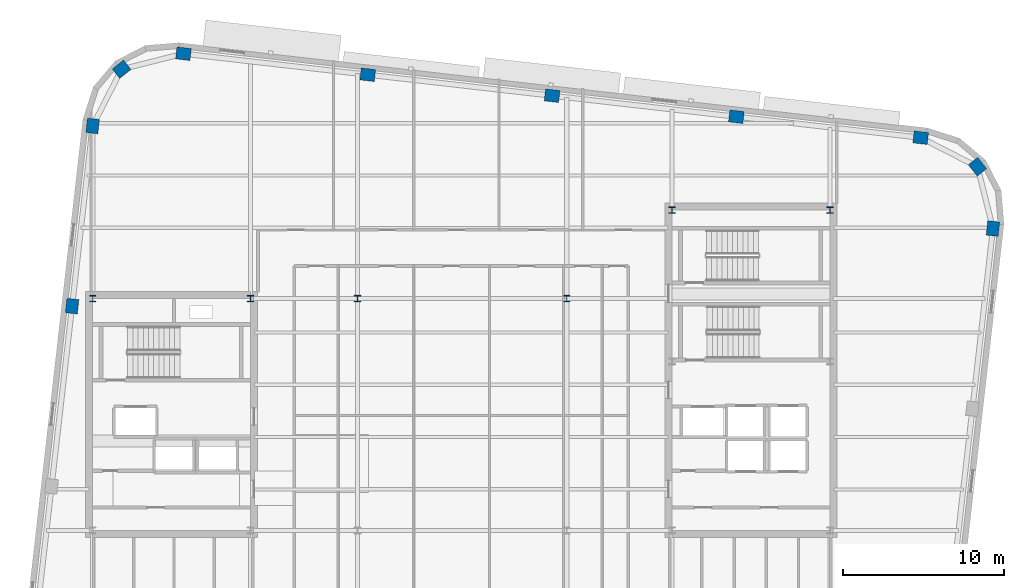
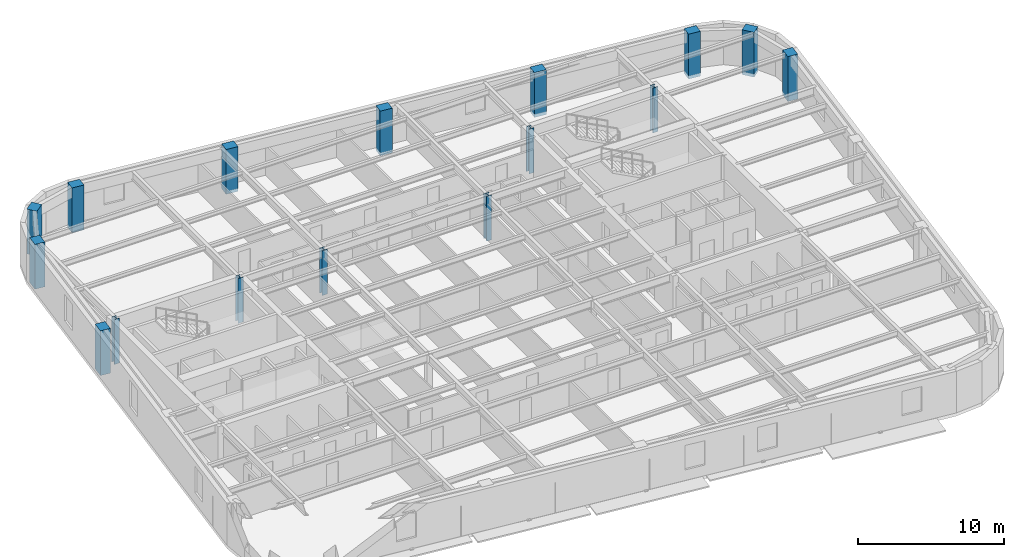
# One storey, part 2 of 13: 16 columns.
"""IFC4 building model written with IfcOpenShell, lengths in metres."""

import ifcopenshell
import ifcopenshell.guid

model = None  # the IFC model being written
_history = None  # IfcOwnerHistory: only IFC2X3 demands one
_inside = {}  # id of a spatial element -> (the spatial element, [elements in it])
_under = {}  # id of a project, library or spatial element -> (it, [spatial elements below it])
_declared = {}  # id of a project -> (the project, [libraries it declares])
_typed = {}  # id of a type object -> (the type object, [elements of that type])
_made_of = {}  # id of a material, layer set ... -> (it, [elements and type objects made of it])


def new_model(schema):
    """Start an empty IFC model of exactly this schema.

    Asked for "IFC4X3", IfcOpenShell would pick the latest addendum, in which some entities
    have other attributes; the version numbers below select the first issue.
    IFC2X3 requires an IfcOwnerHistory on every rooted entity: one is made here for all.
    """
    global model, _history
    if schema == "IFC4X3":
        model = ifcopenshell.file(schema_version=(4, 3, 0, 0))
    else:
        model = ifcopenshell.file(schema=schema)
    _inside.clear()
    _under.clear()
    _declared.clear()
    _typed.clear()
    _made_of.clear()
    _history = None
    if model.schema == "IFC2X3":
        org = make("IfcOrganization", Name="unknown")
        user = make(
            "IfcPersonAndOrganization",
            ThePerson=make("IfcPerson", FamilyName="unknown"),
            TheOrganization=org,
        )
        app = make(
            "IfcApplication",
            ApplicationDeveloper=org,
            Version="unknown",
            ApplicationFullName="unknown",
            ApplicationIdentifier="unknown",
        )
        _history = make(
            "IfcOwnerHistory",
            OwningUser=user,
            OwningApplication=app,
            ChangeAction="ADDED",
            CreationDate=0,
        )
    return model


def make(cls, **values):
    """One entity of the class cls with the attributes given. An attribute that is None is left unset."""
    return model.create_entity(
        cls, **{name: value for name, value in values.items() if value is not None}
    )


def rooted(cls, **values):
    """An entity with a GlobalId (a new one), such as an element, a storey or a relation."""
    return make(cls, GlobalId=ifcopenshell.guid.new(), OwnerHistory=_history, **values)


def si_unit(unit_type, name, prefix=None):
    """IfcSIUnit, for example si_unit("LENGTHUNIT", "METRE", prefix="MILLI")."""
    return make("IfcSIUnit", UnitType=unit_type, Prefix=prefix, Name=name)


def assignment(units):
    """IfcUnitAssignment: the units of a project."""
    return None if units is None else make("IfcUnitAssignment", Units=units)


def point(xyz):
    """IfcCartesianPoint."""
    return None if xyz is None else make("IfcCartesianPoint", Coordinates=xyz)


def direction(xyz):
    """IfcDirection."""
    return None if xyz is None else make("IfcDirection", DirectionRatios=xyz)


def frame(location, z_axis=None, x_axis=None):
    """IfcAxis2Placement3D, a coordinate frame: its origin and axes. An axis left out is left unset."""
    return make(
        "IfcAxis2Placement3D",
        Location=point(location),
        Axis=direction(z_axis),
        RefDirection=direction(x_axis),
    )


def frame_2d(location, x_axis=None):
    """IfcAxis2Placement2D, a coordinate frame in the plane: its origin and x axis."""
    return make(
        "IfcAxis2Placement2D", Location=point(location), RefDirection=direction(x_axis)
    )


def origin():
    """The frame at (0, 0, 0) with its axes left unset."""
    return frame((0.0, 0.0, 0.0))


def origin_2d():
    """The frame at (0, 0) in the plane with its x axis left unset."""
    return frame_2d((0.0, 0.0))


def place(relative_to, where):
    """IfcLocalPlacement: puts the frame where relative to a parent placement (None: the world)."""
    return make(
        "IfcLocalPlacement", PlacementRelTo=relative_to, RelativePlacement=where
    )


def context(
    kind, dimensions, precision=None, world=None, true_north=None, identifier=None
):
    """IfcGeometricRepresentationContext, for example the 3D "Model" context."""
    return make(
        "IfcGeometricRepresentationContext",
        ContextIdentifier=identifier,
        ContextType=kind,
        CoordinateSpaceDimension=dimensions,
        Precision=precision,
        WorldCoordinateSystem=world,
        TrueNorth=true_north,
    )


def subcontext(parent, identifier, kind, view, scale=None):
    """IfcGeometricRepresentationSubContext, for example "Body" below "Model"."""
    return make(
        "IfcGeometricRepresentationSubContext",
        ContextIdentifier=identifier,
        ContextType=kind,
        ParentContext=parent,
        TargetScale=scale,
        TargetView=view,
    )


def project(units=None, contexts=None):
    """IfcProject with its units and contexts."""
    return rooted(
        "IfcProject",
        Name="project",
        RepresentationContexts=contexts,
        UnitsInContext=assignment(units),
    )


def spatial(cls, under=None, at=None, **own):
    """A site, building, storey or space (cls), placed at a placement, below another one or the project."""
    s = rooted(cls, ObjectPlacement=at, **own)
    if under is not None:
        _under.setdefault(under.id(), (under, []))[1].append(s)
    return s


def profile(cls, at=None, kind="AREA", **sizes):
    """A parametric profile (cls). Its sizes go by their IFC names, for example OverallWidth=200.0."""
    return make(cls, ProfileType=kind, Position=at, **sizes)


def rectangle(**sizes):
    """IfcRectangleProfileDef."""
    return profile("IfcRectangleProfileDef", **sizes)


def i_section(**sizes):
    """IfcIShapeProfileDef."""
    return profile("IfcIShapeProfileDef", **sizes)


def extrude(swept, where, along, depth):
    """IfcExtrudedAreaSolid: the profile swept, set in the frame where, extruded along a direction by depth."""
    return make(
        "IfcExtrudedAreaSolid",
        SweptArea=swept,
        Position=where,
        ExtrudedDirection=direction(along),
        Depth=depth,
    )


def shape(context_of_items, identifier, shape_type, items):
    """IfcShapeRepresentation: the items that make up one representation, for example the "Body"."""
    return make(
        "IfcShapeRepresentation",
        ContextOfItems=context_of_items,
        RepresentationIdentifier=identifier,
        RepresentationType=shape_type,
        Items=items,
    )


def material(Name=None, Category=None):
    """IfcMaterial."""
    return make("IfcMaterial", Name=Name, Category=Category)


def material_profile(
    of_material, cross_section, Name=None, Category=None, Priority=None
):
    """IfcMaterialProfile: a cross section and its material."""
    return make(
        "IfcMaterialProfile",
        Name=Name,
        Material=of_material,
        Profile=cross_section,
        Priority=Priority,
        Category=Category,
    )


def profile_set(profiles, Name=None, composite=None):
    """IfcMaterialProfileSet."""
    return make(
        "IfcMaterialProfileSet",
        Name=Name,
        MaterialProfiles=profiles,
        CompositeProfile=composite,
    )


def made_of(thing, what):
    """Note that an element or type object is made of a material, layer set ...; save() writes the relation."""
    if what is not None:
        _made_of.setdefault(what.id(), (what, []))[1].append(thing)
    return thing


def type_object(cls, material=None, **own):
    """A type object (cls), such as IfcWallType, which elements share."""
    return made_of(rooted(cls, **own), material)


def element(
    cls,
    number,
    at=None,
    inside=None,
    cuts=None,
    type_object=None,
    material=None,
    context=None,
    identifier="Body",
    shape_type=None,
    held_by="IfcProductDefinitionShape",
    body=None,
    shapes=None,
    **own,
):
    """One element of the class cls, such as IfcWall. Its Tag is "e" and its number.

    at: its placement. inside: the storey or other place that contains it. cuts: it is an
    opening in that element (IfcRelVoidsElement). A single representation is given by context,
    identifier, shape_type and body (its items); several are given by shapes. held_by: the class
    of the entity that holds the representations. save() writes the other relations.
    """
    e = rooted(cls, Tag="e%d" % number, ObjectPlacement=at, **own)
    if body is not None:
        shapes = [shape(context, identifier, shape_type, body)]
    if shapes is not None:
        e.Representation = make(held_by, Representations=shapes)
    if inside is not None:
        _inside.setdefault(inside.id(), (inside, []))[1].append(e)
    if cuts is not None:
        rooted(
            "IfcRelVoidsElement", RelatingBuildingElement=cuts, RelatedOpeningElement=e
        )
    if type_object is not None:
        _typed.setdefault(type_object.id(), (type_object, []))[1].append(e)
    return made_of(e, material)


def aggregate(whole, parts):
    """IfcRelAggregates: a whole, such as a stair, and the parts it consists of."""
    return rooted("IfcRelAggregates", RelatingObject=whole, RelatedObjects=parts)


def save(model, path):
    """Write the relations noted so far, then the file.

    IfcRelAggregates (storeys below a building ...), IfcRelContainedInSpatialStructure (elements
    in a storey), IfcRelDefinesByType, IfcRelAssociatesMaterial and IfcRelDeclares: one each for
    every whole, place, type object, material and project.
    """
    for whole, parts in _under.values():
        aggregate(whole, parts)
    for where, things in _inside.values():
        rooted(
            "IfcRelContainedInSpatialStructure",
            RelatedElements=things,
            RelatingStructure=where,
        )
    for kind, things in _typed.values():
        rooted("IfcRelDefinesByType", RelatedObjects=things, RelatingType=kind)
    for what, things in _made_of.values():
        rooted("IfcRelAssociatesMaterial", RelatedObjects=things, RelatingMaterial=what)
    for by, libraries in _declared.values():
        rooted("IfcRelDeclares", RelatingContext=by, RelatedDefinitions=libraries)
    model.write(path)


model = new_model("IFC4")

# Units and contexts
model_context = context("Model", 3, precision=1e-05, world=origin(), true_north=direction((0.0, 1.0)))
body_context = subcontext(model_context, "Body", "Model", "MODEL_VIEW")
ifc_project = project(units=[si_unit("LENGTHUNIT", "METRE"), si_unit("AREAUNIT", "SQUARE_METRE"), si_unit("VOLUMEUNIT", "CUBIC_METRE"), si_unit("PLANEANGLEUNIT", "RADIAN"), si_unit("MASSUNIT", "GRAM", prefix="KILO")], contexts=[model_context])

# Site, building, storey
site_placement = place(None, origin())
site = spatial("IfcSite", under=ifc_project, at=site_placement, CompositionType="ELEMENT")
building_placement = place(site_placement, origin())
building = spatial("IfcBuilding", under=site, at=building_placement, Name="Kolvaren Arena Tower", CompositionType="ELEMENT")
storey_placement = place(building_placement, frame((0.0, 0.0, 232.199951171875)))
storey = spatial("IfcBuildingStorey", under=building, at=storey_placement, Name="L56", CompositionType="ELEMENT", Elevation=232.199951171875)

# Columns
ifc_material_1 = material(Name="Precast concrete C55/67", Category="concrete")
ifc_material_profile_1 = material_profile(ifc_material_1, rectangle(XDim=0.89990234375, YDim=0.75, at=origin_2d()), Name="RC-900x750")
ifc_profile_set_1 = profile_set([ifc_material_profile_1], Name="Precast concrete C55/67")
column_type_1 = type_object("IfcColumnType", Name="EXCOL-Z4", PredefinedType="COLUMN", material=ifc_profile_set_1)
for number, where, z_axis, x_axis, name in (
    (1, (70.482177734375, 38.20458984375, -0.27001953125), (0.0, 0.0, 1.0), (0.113203213768, 0.993571855677, 0.0), "Exoskeleton Perimeter Column 10 (L56)"),
    (2, (69.519775390625, 42.047119140625, -0.27001953125), (0.0, 0.0, 1.0), (-0.622514636638, 0.782608156852, 0.0), "Exoskeleton Perimeter Column 11 (L56)"),
    (3, (65.9921875, 43.84912109375, -0.27001953125), (0.0, 0.0, 1.0), (0.993571855677, -0.113203213768, 0.0), "Exoskeleton Perimeter Column 12 (L56)"),
    (4, (54.54150390625, 45.15380859375, -0.27001953125), (0.0, 0.0, 1.0), (0.993571855677, -0.113203213768, 0.0), "Exoskeleton Perimeter Column 13 (L56)"),
    (5, (43.090576171875, 46.45849609375, -0.27001953125), (0.0, 0.0, 1.0), (0.993571855677, -0.113203213768, 0.0), "Exoskeleton Perimeter Column 14 (L56)"),
    (6, (31.6396484375, 47.76318359375, -0.27001953125), (0.0, 0.0, 1.0), (0.993571855677, -0.113203213768, 0.0), "Exoskeleton Perimeter Column 15 (L56)"),
    (7, (20.188720703125, 49.06787109375, -0.27001953125), (0.0, 0.0, 1.0), (0.993571855677, -0.113203213768, 0.0), "Exoskeleton Perimeter Column 16 (L56)"),
    (8, (16.34619140625, 48.10546875, -0.27001953125), (0.0, 0.0, 1.0), (0.782608156852, 0.622514636638, 0.0), "Exoskeleton Perimeter Column 17 (L56)"),
    (9, (14.544189453125, 44.577880859375, -0.27001953125), (0.0, 0.0, 1.0), (0.113203213768, 0.993571855677, 0.0), "Exoskeleton Perimeter Column 18 (L56)"),
    (10, (13.268798828125, 33.3837890625, -0.27001953125), (0.0, 0.0, 1.0), (0.113203213768, 0.993571855677, 0.0), "Exoskeleton Perimeter Column 19 (L56)"),
):
    element("IfcColumn", number, at=place(storey_placement, frame(where, z_axis=z_axis, x_axis=x_axis)), inside=storey, type_object=column_type_1, Name=name, PredefinedType="COLUMN", context=body_context, shape_type="SweptSolid", body=[
        extrude(rectangle(XDim=0.89990234375, YDim=0.75, at=origin_2d()), origin(), (0.0, 0.0, 1.0), 3.75),
    ])
ifc_material_2 = material(Name="Steel ASTM A913 Grade 65", Category="steel")
ifc_material_profile_2 = material_profile(ifc_material_2, i_section(OverallWidth=0.39892578125, OverallDepth=0.39306640625, WebThickness=0.022705078125, FlangeThickness=0.03662109375, FilletRadius=0.02001953125, at=origin_2d()), Name="W360x287")
ifc_profile_set_2 = profile_set([ifc_material_profile_2], Name="Steel ASTM A913 Grade 65")
column_type_2 = type_object("IfcColumnType", Name="SCOL-Z4", PredefinedType="COLUMN", material=ifc_profile_set_2)
for number, where, z_axis, x_axis, name in (
    (11, (14.550048828125, 33.85009765625, -0.27001953125), (0.0, 0.0, 1.0), (1.0, 0.0, 0.0), "Core Boundary Column WC-NW (L56)"),
    (12, (24.35009765625, 33.85009765625, -0.27001953125), (0.0, 0.0, 1.0), (1.0, 0.0, 0.0), "Core Boundary Column WC-NE (L56)"),
    (13, (50.550048828125, 39.35009765625, -0.27001953125), (0.0, 0.0, 1.0), (1.0, 0.0, 0.0), "Core Boundary Column EC-NW (L56)"),
    (14, (60.35009765625, 39.35009765625, -0.27001953125), (0.0, 0.0, 1.0), (1.0, 0.0, 0.0), "Core Boundary Column EC-NE (L56)"),
    (15, (31.0, 33.85009765625, -0.27001953125), (0.0, 0.0, 1.0), (1.0, 0.0, 0.0), "Interior Gravity Column TC-NW (L56)"),
    (16, (44.0, 33.85009765625, -0.27001953125), (0.0, 0.0, 1.0), (1.0, 0.0, 0.0), "Interior Gravity Column TC-NE (L56)"),
):
    element("IfcColumn", number, at=place(storey_placement, frame(where, z_axis=z_axis, x_axis=x_axis)), inside=storey, type_object=column_type_2, Name=name, PredefinedType="COLUMN", context=body_context, shape_type="SweptSolid", body=[
        extrude(i_section(OverallWidth=0.39892578125, OverallDepth=0.39306640625, WebThickness=0.022705078125, FlangeThickness=0.03662109375, FilletRadius=0.02001953125, at=origin_2d()), origin(), (0.0, 0.0, 1.0), 3.75),
    ])

save(model, "model.ifc")
